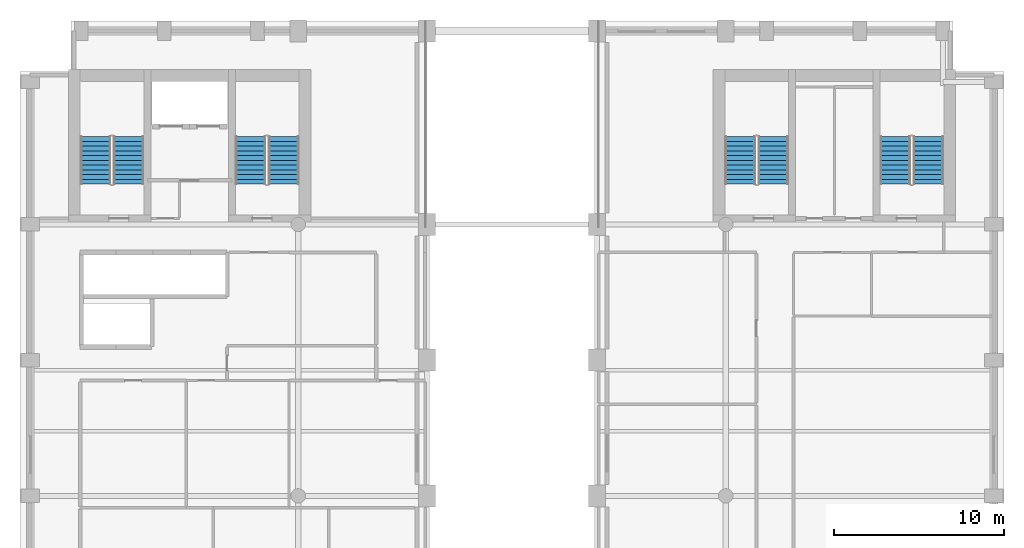
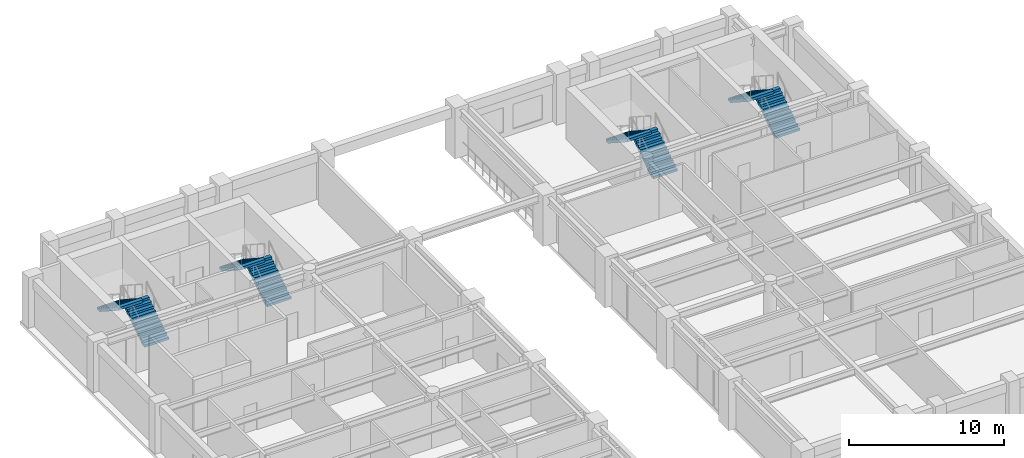
# One storey, part 6 of 8: 8 stair flights, 4 elements without a shape of their own.
"""IFC4 building model written with IfcOpenShell, lengths in metres."""

from ifc_helpers import new_model, si_unit, direction, frame, origin, place, context, subcontext, project, spatial, polyline, outline, extrude, material, type_object, element, aggregate, save


model = new_model("IFC4")

# Units and contexts
model_context = context("Model", 3, precision=1e-05, world=origin(), true_north=direction((0.0, 1.0)))
body_context = subcontext(model_context, "Body", "Model", "MODEL_VIEW")
ifc_project = project(units=[si_unit("LENGTHUNIT", "METRE"), si_unit("AREAUNIT", "SQUARE_METRE"), si_unit("VOLUMEUNIT", "CUBIC_METRE"), si_unit("PLANEANGLEUNIT", "RADIAN"), si_unit("MASSUNIT", "GRAM", prefix="KILO")], contexts=[model_context])

# Site, building, storey
site_placement = place(None, origin())
site = spatial("IfcSite", under=ifc_project, at=site_placement, CompositionType="ELEMENT")
building_placement = place(site_placement, origin())
building = spatial("IfcBuilding", under=site, at=building_placement, Name="Sulina Concourse Tower", CompositionType="ELEMENT")
storey_placement = place(building_placement, frame((0.0, 0.0, 194.60009765625)))
storey = spatial("IfcBuildingStorey", under=building, at=storey_placement, Name="L47", CompositionType="ELEMENT", Elevation=194.60009765625)

# Stair, stair flights
ifc_material_1 = material(Name="Concrete C50/60", Category="concrete")
stair_type_1 = type_object("IfcStairType", Name="Portal & Podium Core Exit Stair 1820mm", PredefinedType="HALF_TURN_STAIR", material=ifc_material_1)
stair_1_placement = place(storey_placement, origin())
stair_1 = element("IfcStair", 1, at=stair_1_placement, inside=storey, type_object=stair_type_1, Name="L47 ST-3", PredefinedType="HALF_TURN_STAIR")
ifc_material_2 = material(Name="Concrete C50/60", Category="concrete")
stair_flight_type_1 = type_object("IfcStairFlightType", Name="Portal & Podium Core Exit Stair 1820mm Flight", PredefinedType="STRAIGHT", material=ifc_material_2)
stair_flight_1_placement = place(storey_placement, frame((44.405029296875, 36.375, 0.0), z_axis=(0.0, 0.0, 1.0), x_axis=(0.0, 1.0, 0.0)))
stair_flight_1 = element("IfcStairFlight", 2, at=stair_flight_1_placement, type_object=stair_flight_type_1, Name="ST-3 flight 1", NumberOfRisers=11, NumberOfTreads=10, PredefinedType="STRAIGHT", RiserHeight=0.181818182, TreadLength=0.28, context=body_context, shape_type="SweptSolid", body=[
    extrude(outline(polyline([(0.0, 0.0), (0.0, 0.181884765625), (0.280029296875, 0.181884765625), (0.280029296875, 0.363525390625), (0.56005859375, 0.363525390625), (0.56005859375, 0.54541015625), (0.840087890625, 0.54541015625), (0.840087890625, 0.727294921875), (1.1201171875, 0.727294921875), (1.1201171875, 0.9091796875), (1.39990234375, 0.9091796875), (1.39990234375, 1.0908203125), (1.679931640625, 1.0908203125), (1.679931640625, 1.272705078125), (1.9599609375, 1.272705078125), (1.9599609375, 1.45458984375), (2.239990234375, 1.45458984375), (2.239990234375, 1.636474609375), (2.52001953125, 1.636474609375), (2.52001953125, 1.818115234375), (2.800048828125, 1.818115234375), (2.800048828125, 2.0), (2.800048828125, 1.603759765625), (0.330322265625, 0.0), (0.0, 0.0)])), frame((0.0, 0.89990234375, 0.0), z_axis=(0.0, -1.0, 0.0), x_axis=(1.0, 0.0, 0.0)), (0.0, 0.0, 1.0), 1.800048828125),
])
stair_flight_2_placement = place(storey_placement, frame((42.455078125, 39.175048828125, 2.0), z_axis=(0.0, 0.0, 1.0), x_axis=(0.0, -1.0, 0.0)))
stair_flight_2 = element("IfcStairFlight", 3, at=stair_flight_2_placement, type_object=stair_flight_type_1, Name="ST-3 flight 2", NumberOfRisers=11, NumberOfTreads=10, PredefinedType="STRAIGHT", RiserHeight=0.181818182, TreadLength=0.28, context=body_context, shape_type="SweptSolid", body=[
    extrude(outline(polyline([(0.0, 0.0), (0.0, 0.181884765625), (0.280029296875, 0.181884765625), (0.280029296875, 0.363525390625), (0.56005859375, 0.363525390625), (0.56005859375, 0.54541015625), (0.840087890625, 0.54541015625), (0.840087890625, 0.727294921875), (1.1201171875, 0.727294921875), (1.1201171875, 0.9091796875), (1.39990234375, 0.9091796875), (1.39990234375, 1.0908203125), (1.679931640625, 1.0908203125), (1.679931640625, 1.272705078125), (1.9599609375, 1.272705078125), (1.9599609375, 1.45458984375), (2.239990234375, 1.45458984375), (2.239990234375, 1.636474609375), (2.52001953125, 1.636474609375), (2.52001953125, 1.818115234375), (2.800048828125, 1.818115234375), (2.800048828125, 2.0), (2.800048828125, 1.603759765625), (0.330322265625, 0.0), (0.0, 0.0)])), frame((0.0, 0.89990234375, 0.0), z_axis=(0.0, -1.0, 0.0), x_axis=(1.0, 0.0, 0.0)), (0.0, 0.0, 1.0), 1.800048828125),
])
aggregate(stair_1, [stair_flight_1, stair_flight_2])

stair_2_placement = place(storey_placement, origin())
stair_2 = element("IfcStair", 4, at=stair_2_placement, inside=storey, type_object=stair_type_1, Name="L47 ST-4", PredefinedType="HALF_TURN_STAIR")
stair_flight_3_placement = place(storey_placement, frame((53.544921875, 36.375, 0.0), z_axis=(0.0, 0.0, 1.0), x_axis=(0.0, 1.0, 0.0)))
stair_flight_3 = element("IfcStairFlight", 5, at=stair_flight_3_placement, type_object=stair_flight_type_1, Name="ST-4 flight 1", NumberOfRisers=11, NumberOfTreads=10, PredefinedType="STRAIGHT", RiserHeight=0.181818182, TreadLength=0.28, context=body_context, shape_type="SweptSolid", body=[
    extrude(outline(polyline([(0.0, 0.0), (0.0, 0.181884765625), (0.280029296875, 0.181884765625), (0.280029296875, 0.363525390625), (0.56005859375, 0.363525390625), (0.56005859375, 0.54541015625), (0.840087890625, 0.54541015625), (0.840087890625, 0.727294921875), (1.1201171875, 0.727294921875), (1.1201171875, 0.9091796875), (1.39990234375, 0.9091796875), (1.39990234375, 1.0908203125), (1.679931640625, 1.0908203125), (1.679931640625, 1.272705078125), (1.9599609375, 1.272705078125), (1.9599609375, 1.45458984375), (2.239990234375, 1.45458984375), (2.239990234375, 1.636474609375), (2.52001953125, 1.636474609375), (2.52001953125, 1.818115234375), (2.800048828125, 1.818115234375), (2.800048828125, 2.0), (2.800048828125, 1.603759765625), (0.330322265625, 0.0), (0.0, 0.0)])), frame((0.0, 0.89990234375, 0.0), z_axis=(0.0, -1.0, 0.0), x_axis=(1.0, 0.0, 0.0)), (0.0, 0.0, 1.0), 1.800048828125),
])
stair_flight_4_placement = place(storey_placement, frame((51.594970703125, 39.175048828125, 2.0), z_axis=(0.0, 0.0, 1.0), x_axis=(0.0, -1.0, 0.0)))
stair_flight_4 = element("IfcStairFlight", 6, at=stair_flight_4_placement, type_object=stair_flight_type_1, Name="ST-4 flight 2", NumberOfRisers=11, NumberOfTreads=10, PredefinedType="STRAIGHT", RiserHeight=0.181818182, TreadLength=0.28, context=body_context, shape_type="SweptSolid", body=[
    extrude(outline(polyline([(0.0, 0.0), (0.0, 0.181884765625), (0.280029296875, 0.181884765625), (0.280029296875, 0.363525390625), (0.56005859375, 0.363525390625), (0.56005859375, 0.54541015625), (0.840087890625, 0.54541015625), (0.840087890625, 0.727294921875), (1.1201171875, 0.727294921875), (1.1201171875, 0.9091796875), (1.39990234375, 0.9091796875), (1.39990234375, 1.0908203125), (1.679931640625, 1.0908203125), (1.679931640625, 1.272705078125), (1.9599609375, 1.272705078125), (1.9599609375, 1.45458984375), (2.239990234375, 1.45458984375), (2.239990234375, 1.636474609375), (2.52001953125, 1.636474609375), (2.52001953125, 1.818115234375), (2.800048828125, 1.818115234375), (2.800048828125, 2.0), (2.800048828125, 1.603759765625), (0.330322265625, 0.0), (0.0, 0.0)])), frame((0.0, 0.89990234375, 0.0), z_axis=(0.0, -1.0, 0.0), x_axis=(1.0, 0.0, 0.0)), (0.0, 0.0, 1.0), 1.800048828125),
])
aggregate(stair_2, [stair_flight_3, stair_flight_4])

ifc_material_3 = material(Name="Concrete C50/60", Category="concrete")
stair_type_2 = type_object("IfcStairType", Name="Primary Core Dog-Leg Exit Stair 1800mm", PredefinedType="HALF_TURN_STAIR", material=ifc_material_3)
stair_3_placement = place(storey_placement, origin())
stair_3 = element("IfcStair", 7, at=stair_3_placement, inside=storey, type_object=stair_type_2, Name="L47 ST-1", PredefinedType="HALF_TURN_STAIR")
ifc_material_4 = material(Name="Concrete C50/60", Category="concrete")
stair_flight_type_2 = type_object("IfcStairFlightType", Name="Primary Core Dog-Leg Exit Stair 1800mm Flight", PredefinedType="STRAIGHT", material=ifc_material_4)
stair_flight_5_placement = place(storey_placement, frame((6.405029296875, 36.375, 0.0), z_axis=(0.0, 0.0, 1.0), x_axis=(0.0, 1.0, 0.0)))
stair_flight_5 = element("IfcStairFlight", 8, at=stair_flight_5_placement, type_object=stair_flight_type_2, Name="ST-1 flight 1", NumberOfRisers=11, NumberOfTreads=10, PredefinedType="STRAIGHT", RiserHeight=0.181818182, TreadLength=0.28, context=body_context, shape_type="SweptSolid", body=[
    extrude(outline(polyline([(0.0, 0.0), (0.0, 0.181884765625), (0.280029296875, 0.181884765625), (0.280029296875, 0.363525390625), (0.56005859375, 0.363525390625), (0.56005859375, 0.54541015625), (0.840087890625, 0.54541015625), (0.840087890625, 0.727294921875), (1.1201171875, 0.727294921875), (1.1201171875, 0.9091796875), (1.39990234375, 0.9091796875), (1.39990234375, 1.0908203125), (1.679931640625, 1.0908203125), (1.679931640625, 1.272705078125), (1.9599609375, 1.272705078125), (1.9599609375, 1.45458984375), (2.239990234375, 1.45458984375), (2.239990234375, 1.636474609375), (2.52001953125, 1.636474609375), (2.52001953125, 1.818115234375), (2.800048828125, 1.818115234375), (2.800048828125, 2.0), (2.800048828125, 1.603759765625), (0.330322265625, 0.0), (0.0, 0.0)])), frame((0.0, 0.89990234375, 0.0), z_axis=(0.0, -1.0, 0.0), x_axis=(1.0, 0.0, 0.0)), (0.0, 0.0, 1.0), 1.800048828125),
])
stair_flight_6_placement = place(storey_placement, frame((4.455078125, 39.175048828125, 2.0), z_axis=(0.0, 0.0, 1.0), x_axis=(0.0, -1.0, 0.0)))
stair_flight_6 = element("IfcStairFlight", 9, at=stair_flight_6_placement, type_object=stair_flight_type_2, Name="ST-1 flight 2", NumberOfRisers=11, NumberOfTreads=10, PredefinedType="STRAIGHT", RiserHeight=0.181818182, TreadLength=0.28, context=body_context, shape_type="SweptSolid", body=[
    extrude(outline(polyline([(0.0, 0.0), (0.0, 0.181884765625), (0.280029296875, 0.181884765625), (0.280029296875, 0.363525390625), (0.56005859375, 0.363525390625), (0.56005859375, 0.54541015625), (0.840087890625, 0.54541015625), (0.840087890625, 0.727294921875), (1.1201171875, 0.727294921875), (1.1201171875, 0.9091796875), (1.39990234375, 0.9091796875), (1.39990234375, 1.0908203125), (1.679931640625, 1.0908203125), (1.679931640625, 1.272705078125), (1.9599609375, 1.272705078125), (1.9599609375, 1.45458984375), (2.239990234375, 1.45458984375), (2.239990234375, 1.636474609375), (2.52001953125, 1.636474609375), (2.52001953125, 1.818115234375), (2.800048828125, 1.818115234375), (2.800048828125, 2.0), (2.800048828125, 1.603759765625), (0.330322265625, 0.0), (0.0, 0.0)])), frame((0.0, 0.89990234375, 0.0), z_axis=(0.0, -1.0, 0.0), x_axis=(1.0, 0.0, 0.0)), (0.0, 0.0, 1.0), 1.800048828125),
])
aggregate(stair_3, [stair_flight_5, stair_flight_6])

stair_4_placement = place(storey_placement, origin())
stair_4 = element("IfcStair", 10, at=stair_4_placement, inside=storey, type_object=stair_type_2, Name="L47 ST-2", PredefinedType="HALF_TURN_STAIR")
stair_flight_7_placement = place(storey_placement, frame((15.544921875, 36.375, 0.0), z_axis=(0.0, 0.0, 1.0), x_axis=(0.0, 1.0, 0.0)))
stair_flight_7 = element("IfcStairFlight", 11, at=stair_flight_7_placement, type_object=stair_flight_type_2, Name="ST-2 flight 1", NumberOfRisers=11, NumberOfTreads=10, PredefinedType="STRAIGHT", RiserHeight=0.181818182, TreadLength=0.28, context=body_context, shape_type="SweptSolid", body=[
    extrude(outline(polyline([(0.0, 0.0), (0.0, 0.181884765625), (0.280029296875, 0.181884765625), (0.280029296875, 0.363525390625), (0.56005859375, 0.363525390625), (0.56005859375, 0.54541015625), (0.840087890625, 0.54541015625), (0.840087890625, 0.727294921875), (1.1201171875, 0.727294921875), (1.1201171875, 0.9091796875), (1.39990234375, 0.9091796875), (1.39990234375, 1.0908203125), (1.679931640625, 1.0908203125), (1.679931640625, 1.272705078125), (1.9599609375, 1.272705078125), (1.9599609375, 1.45458984375), (2.239990234375, 1.45458984375), (2.239990234375, 1.636474609375), (2.52001953125, 1.636474609375), (2.52001953125, 1.818115234375), (2.800048828125, 1.818115234375), (2.800048828125, 2.0), (2.800048828125, 1.603759765625), (0.330322265625, 0.0), (0.0, 0.0)])), frame((0.0, 0.89990234375, 0.0), z_axis=(0.0, -1.0, 0.0), x_axis=(1.0, 0.0, 0.0)), (0.0, 0.0, 1.0), 1.800048828125),
])
stair_flight_8_placement = place(storey_placement, frame((13.594970703125, 39.175048828125, 2.0), z_axis=(0.0, 0.0, 1.0), x_axis=(0.0, -1.0, 0.0)))
stair_flight_8 = element("IfcStairFlight", 12, at=stair_flight_8_placement, type_object=stair_flight_type_2, Name="ST-2 flight 2", NumberOfRisers=11, NumberOfTreads=10, PredefinedType="STRAIGHT", RiserHeight=0.181818182, TreadLength=0.28, context=body_context, shape_type="SweptSolid", body=[
    extrude(outline(polyline([(0.0, 0.0), (0.0, 0.181884765625), (0.280029296875, 0.181884765625), (0.280029296875, 0.363525390625), (0.56005859375, 0.363525390625), (0.56005859375, 0.54541015625), (0.840087890625, 0.54541015625), (0.840087890625, 0.727294921875), (1.1201171875, 0.727294921875), (1.1201171875, 0.9091796875), (1.39990234375, 0.9091796875), (1.39990234375, 1.0908203125), (1.679931640625, 1.0908203125), (1.679931640625, 1.272705078125), (1.9599609375, 1.272705078125), (1.9599609375, 1.45458984375), (2.239990234375, 1.45458984375), (2.239990234375, 1.636474609375), (2.52001953125, 1.636474609375), (2.52001953125, 1.818115234375), (2.800048828125, 1.818115234375), (2.800048828125, 2.0), (2.800048828125, 1.603759765625), (0.330322265625, 0.0), (0.0, 0.0)])), frame((0.0, 0.89990234375, 0.0), z_axis=(0.0, -1.0, 0.0), x_axis=(1.0, 0.0, 0.0)), (0.0, 0.0, 1.0), 1.800048828125),
])
aggregate(stair_4, [stair_flight_7, stair_flight_8])

save(model, "model.ifc")
